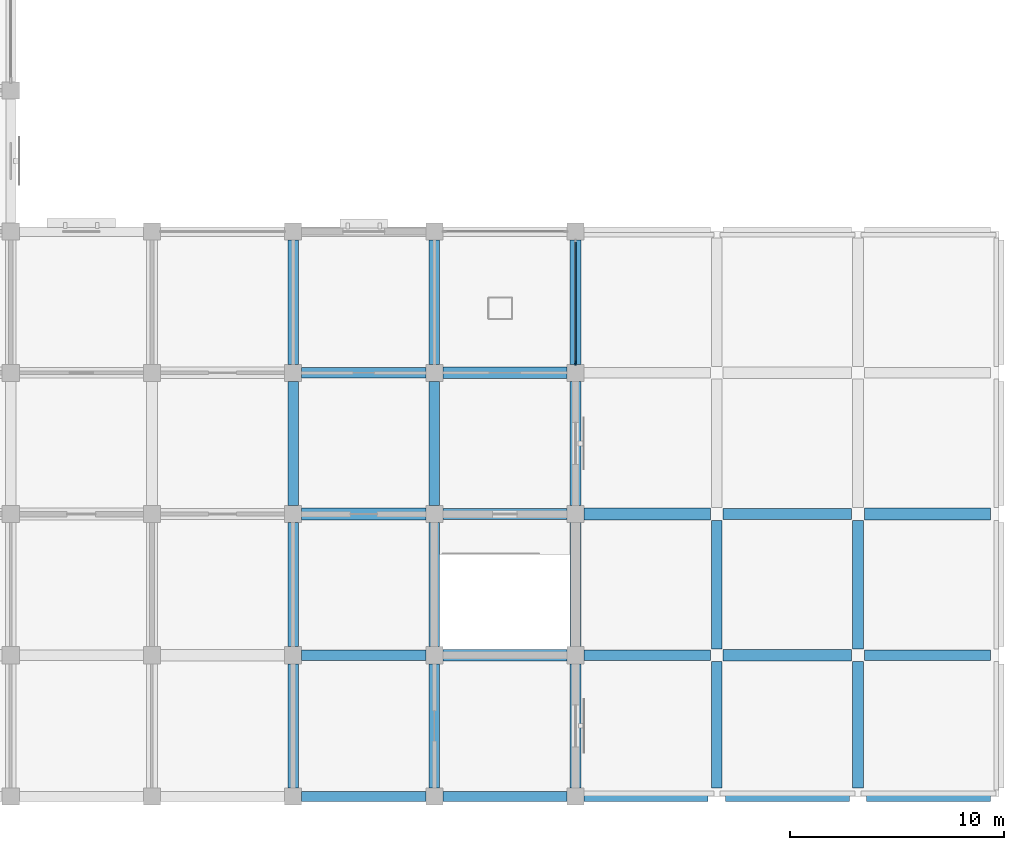
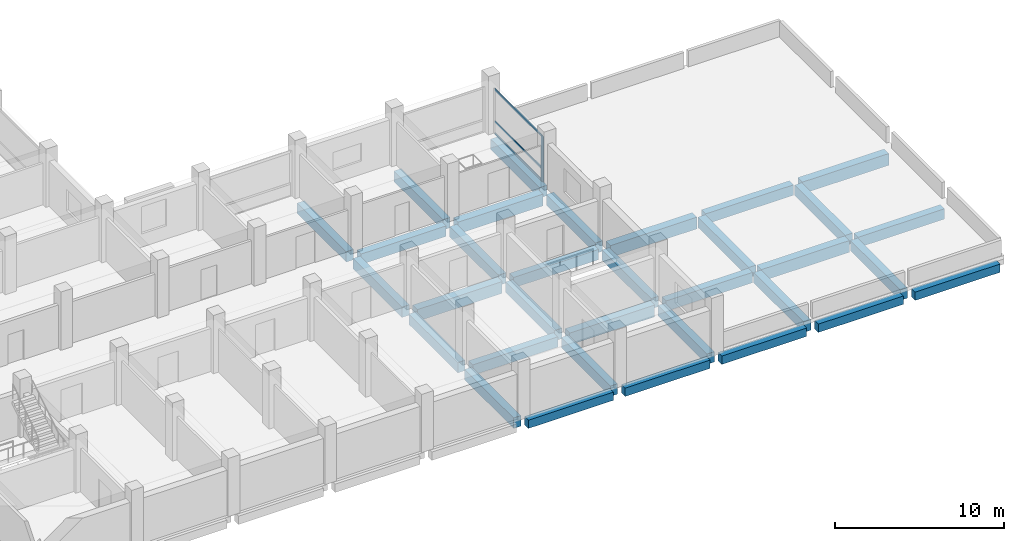
# One storey, part 7 of 30: 33 beams, 4 members, 1 element without a shape of its own.
"""IFC4 building model written with IfcOpenShell, lengths in metres."""

from ifc_helpers import new_model, si_unit, direction, frame, origin, origin_2d, place, context, subcontext, project, spatial, rectangle, extrude, material, material_profile, profile_set, type_object, element, aggregate, save


model = new_model("IFC4")

# Units and contexts
model_context = context("Model", 3, precision=1e-05, world=origin(), true_north=direction((0.0, 1.0)))
body_context = subcontext(model_context, "Body", "Model", "MODEL_VIEW")
ifc_project = project(units=[si_unit("LENGTHUNIT", "METRE"), si_unit("AREAUNIT", "SQUARE_METRE"), si_unit("VOLUMEUNIT", "CUBIC_METRE"), si_unit("PLANEANGLEUNIT", "RADIAN"), si_unit("MASSUNIT", "GRAM", prefix="KILO")], contexts=[model_context])

# Site, building, storey
site_placement = place(None, origin())
site = spatial("IfcSite", under=ifc_project, at=site_placement, CompositionType="ELEMENT")
building_placement = place(site_placement, origin())
building = spatial("IfcBuilding", under=site, at=building_placement, Name="Rusizi Kubbe Research Institute", CompositionType="ELEMENT")
storey_placement = place(building_placement, frame((0.0, 0.0, 10.199951171875)))
storey = spatial("IfcBuildingStorey", under=building, at=storey_placement, Name="L02", CompositionType="ELEMENT", Elevation=10.199951171875)

# Beams
ifc_material_1 = material(Name="Concrete C40/50", Category="concrete")
ifc_material_profile_1 = material_profile(ifc_material_1, rectangle(XDim=0.449951171875, YDim=0.60009765625, at=origin_2d()), Name="RC450x600")
ifc_profile_set_1 = profile_set([ifc_material_profile_1], Name="Concrete C40/50")
beam_type_1 = type_object("IfcBeamType", Name="BM-RC450x600", PredefinedType="SPANDREL", material=ifc_profile_set_1)
for number, where, z_axis, x_axis, name in (
    (1, (66.39990234375, 0.0, -0.64990234375), (1.0, 0.0, 0.0), (0.0, 1.0, 0.0), "Grid Beam H L02 (10,0)"),
    (2, (73.0, 0.0, -0.64990234375), (1.0, 0.0, 0.0), (0.0, 1.0, 0.0), "Grid Beam H L02 (11,0)"),
):
    element("IfcBeam", number, at=place(storey_placement, frame(where, z_axis=z_axis, x_axis=x_axis)), inside=storey, type_object=beam_type_1, Name=name, PredefinedType="SPANDREL", context=body_context, shape_type="SweptSolid", body=[
        extrude(rectangle(XDim=0.449951171875, YDim=0.60009765625, at=origin_2d()), origin(), (0.0, 0.0, 1.0), 5.800048828125),
    ])
beam_1_placement = place(storey_placement, frame((79.60009765625, 0.0, -0.64990234375), z_axis=(1.0, 0.0, 0.0), x_axis=(0.0, 1.0, 0.0)))
element("IfcBeam", 3, at=beam_1_placement, inside=storey, type_object=beam_type_1, Name="Grid Beam H L02 (12,0)", PredefinedType="SPANDREL", context=body_context, shape_type="SweptSolid", body=[
    extrude(rectangle(XDim=0.449951171875, YDim=0.60009765625, at=origin_2d()), origin(), (0.0, 0.0, 1.0), 5.7998046875),
])
for number, where, z_axis, x_axis, name in (
    (4, (86.199951171875, 0.0, -0.64990234375), (1.0, 0.0, 0.0), (0.0, 1.0, 0.0), "Grid Beam H L02 (13,0)"),
    (5, (92.800048828125, 0.0, -0.64990234375), (1.0, 0.0, 0.0), (0.0, 1.0, 0.0), "Grid Beam H L02 (14,0)"),
):
    element("IfcBeam", number, at=place(storey_placement, frame(where, z_axis=z_axis, x_axis=x_axis)), inside=storey, type_object=beam_type_1, Name=name, PredefinedType="SPANDREL", context=body_context, shape_type="SweptSolid", body=[
        extrude(rectangle(XDim=0.449951171875, YDim=0.60009765625, at=origin_2d()), origin(), (0.0, 0.0, 1.0), 5.800048828125),
    ])
ifc_material_2 = material(Name="Concrete C45/55", Category="concrete")
ifc_material_profile_2 = material_profile(ifc_material_2, rectangle(XDim=0.5, YDim=0.75, at=origin_2d()), Name="RC500x750B")
ifc_profile_set_2 = profile_set([ifc_material_profile_2], Name="Concrete C45/55")
beam_type_2 = type_object("IfcBeamType", Name="BM-RC500x750", PredefinedType="BEAM", material=ifc_profile_set_2)
for number, where, z_axis, x_axis, name in (
    (6, (66.39990234375, 6.60009765625, -0.724853515625), (1.0, 0.0, 0.0), (0.0, 1.0, 0.0), "Grid Beam H L02 (10,1)"),
    (7, (66.39990234375, 19.800048828125, -0.724853515625), (1.0, 0.0, 0.0), (0.0, 1.0, 0.0), "Grid Beam H L02 (10,3)"),
    (8, (73.0, 13.199951171875, -0.724853515625), (1.0, 0.0, 0.0), (0.0, 1.0, 0.0), "Grid Beam H L02 (11,2)"),
):
    element("IfcBeam", number, at=place(storey_placement, frame(where, z_axis=z_axis, x_axis=x_axis)), inside=storey, type_object=beam_type_2, Name=name, PredefinedType="BEAM", context=body_context, shape_type="SweptSolid", body=[
        extrude(rectangle(XDim=0.5, YDim=0.75, at=origin_2d()), origin(), (0.0, 0.0, 1.0), 5.800048828125),
    ])
beam_2_placement = place(storey_placement, frame((79.60009765625, 6.60009765625, -0.724853515625), z_axis=(1.0, 0.0, 0.0), x_axis=(0.0, 1.0, 0.0)))
element("IfcBeam", 9, at=beam_2_placement, inside=storey, type_object=beam_type_2, Name="Grid Beam H L02 (12,1)", PredefinedType="BEAM", context=body_context, shape_type="SweptSolid", body=[
    extrude(rectangle(XDim=0.5, YDim=0.75, at=origin_2d()), origin(), (0.0, 0.0, 1.0), 5.89990234375),
])
beam_3_placement = place(storey_placement, frame((86.10009765625, 13.199951171875, -0.724853515625), z_axis=(1.0, 0.0, 0.0), x_axis=(0.0, 1.0, 0.0)))
element("IfcBeam", 10, at=beam_3_placement, inside=storey, type_object=beam_type_2, Name="Grid Beam H L02 (13,2)", PredefinedType="BEAM", context=body_context, shape_type="SweptSolid", body=[
    extrude(rectangle(XDim=0.5, YDim=0.75, at=origin_2d()), origin(), (0.0, 0.0, 1.0), 6.0),
])
beam_4_placement = place(storey_placement, frame((92.699951171875, 6.60009765625, -0.724853515625), z_axis=(1.0, 0.0, 0.0), x_axis=(0.0, 1.0, 0.0)))
element("IfcBeam", 11, at=beam_4_placement, inside=storey, type_object=beam_type_2, Name="Grid Beam H L02 (14,1)", PredefinedType="BEAM", context=body_context, shape_type="SweptSolid", body=[
    extrude(rectangle(XDim=0.5, YDim=0.75, at=origin_2d()), origin(), (0.0, 0.0, 1.0), 5.900146484375),
])
for number, where, z_axis, x_axis, name in (
    (12, (66.0, 0.39990234375, -0.724853515625), (0.0, 1.0, 0.0), (-1.0, 0.0, 0.0), "Grid Beam V L02 (10,0)"),
    (13, (66.0, 7.0, -0.724853515625), (0.0, 1.0, 0.0), (-1.0, 0.0, 0.0), "Grid Beam V L02 (10,1)"),
):
    element("IfcBeam", number, at=place(storey_placement, frame(where, z_axis=z_axis, x_axis=x_axis)), inside=storey, type_object=beam_type_2, Name=name, PredefinedType="BEAM", context=body_context, shape_type="SweptSolid", body=[
        extrude(rectangle(XDim=0.5, YDim=0.75, at=origin_2d()), origin(), (0.0, 0.0, 1.0), 5.800048828125),
    ])
beam_5_placement = place(storey_placement, frame((66.0, 13.60009765625, -0.724853515625), z_axis=(0.0, 1.0, 0.0), x_axis=(-1.0, 0.0, 0.0)))
element("IfcBeam", 14, at=beam_5_placement, inside=storey, type_object=beam_type_2, Name="Grid Beam V L02 (10,2)", PredefinedType="BEAM", context=body_context, shape_type="SweptSolid", body=[
    extrude(rectangle(XDim=0.5, YDim=0.75, at=origin_2d()), origin(), (0.0, 0.0, 1.0), 5.7998046875),
])
for number, where, z_axis, x_axis, name in (
    (15, (66.0, 20.199951171875, -0.724853515625), (0.0, 1.0, 0.0), (-1.0, 0.0, 0.0), "Grid Beam V L02 (10,3)"),
    (16, (72.60009765625, 0.39990234375, -0.724853515625), (0.0, 1.0, 0.0), (-1.0, 0.0, 0.0), "Grid Beam V L02 (11,0)"),
    (17, (72.60009765625, 7.0, -0.724853515625), (0.0, 1.0, 0.0), (-1.0, 0.0, 0.0), "Grid Beam V L02 (11,1)"),
):
    element("IfcBeam", number, at=place(storey_placement, frame(where, z_axis=z_axis, x_axis=x_axis)), inside=storey, type_object=beam_type_2, Name=name, PredefinedType="BEAM", context=body_context, shape_type="SweptSolid", body=[
        extrude(rectangle(XDim=0.5, YDim=0.75, at=origin_2d()), origin(), (0.0, 0.0, 1.0), 5.800048828125),
    ])
beam_6_placement = place(storey_placement, frame((72.60009765625, 13.60009765625, -0.724853515625), z_axis=(0.0, 1.0, 0.0), x_axis=(-1.0, 0.0, 0.0)))
element("IfcBeam", 18, at=beam_6_placement, inside=storey, type_object=beam_type_2, Name="Grid Beam V L02 (11,2)", PredefinedType="BEAM", context=body_context, shape_type="SweptSolid", body=[
    extrude(rectangle(XDim=0.5, YDim=0.75, at=origin_2d()), origin(), (0.0, 0.0, 1.0), 5.7998046875),
])
for number, where, z_axis, x_axis, name in (
    (19, (72.60009765625, 20.199951171875, -0.724853515625), (0.0, 1.0, 0.0), (-1.0, 0.0, 0.0), "Grid Beam V L02 (11,3)"),
    (20, (79.199951171875, 0.39990234375, -0.724853515625), (0.0, 1.0, 0.0), (-1.0, 0.0, 0.0), "Grid Beam V L02 (12,0)"),
    (21, (79.199951171875, 7.0, -0.724853515625), (0.0, 1.0, 0.0), (-1.0, 0.0, 0.0), "Grid Beam V L02 (12,1)"),
):
    element("IfcBeam", number, at=place(storey_placement, frame(where, z_axis=z_axis, x_axis=x_axis)), inside=storey, type_object=beam_type_2, Name=name, PredefinedType="BEAM", context=body_context, shape_type="SweptSolid", body=[
        extrude(rectangle(XDim=0.5, YDim=0.75, at=origin_2d()), origin(), (0.0, 0.0, 1.0), 5.800048828125),
    ])
beam_7_placement = place(storey_placement, frame((79.199951171875, 13.60009765625, -0.724853515625), z_axis=(0.0, 1.0, 0.0), x_axis=(-1.0, 0.0, 0.0)))
element("IfcBeam", 22, at=beam_7_placement, inside=storey, type_object=beam_type_2, Name="Grid Beam V L02 (12,2)", PredefinedType="BEAM", context=body_context, shape_type="SweptSolid", body=[
    extrude(rectangle(XDim=0.5, YDim=0.75, at=origin_2d()), origin(), (0.0, 0.0, 1.0), 5.7998046875),
])
beam_8_placement = place(storey_placement, frame((79.199951171875, 20.199951171875, -0.724853515625), z_axis=(0.0, 1.0, 0.0), x_axis=(-1.0, 0.0, 0.0)))
element("IfcBeam", 23, at=beam_8_placement, inside=storey, type_object=beam_type_2, Name="Grid Beam V L02 (12,3)", PredefinedType="BEAM", context=body_context, shape_type="SweptSolid", body=[
    extrude(rectangle(XDim=0.5, YDim=0.75, at=origin_2d()), origin(), (0.0, 0.0, 1.0), 5.800048828125),
])
beam_9_placement = place(storey_placement, frame((85.800048828125, 0.39990234375, -0.724853515625), z_axis=(0.0, 1.0, 0.0), x_axis=(-1.0, 0.0, 0.0)))
element("IfcBeam", 24, at=beam_9_placement, inside=storey, type_object=beam_type_2, Name="Grid Beam V L02 (13,0)", PredefinedType="BEAM", context=body_context, shape_type="SweptSolid", body=[
    extrude(rectangle(XDim=0.5, YDim=0.75, at=origin_2d()), origin(), (0.0, 0.0, 1.0), 5.900146484375),
])
beam_10_placement = place(storey_placement, frame((85.800048828125, 6.89990234375, -0.724853515625), z_axis=(0.0, 1.0, 0.0), x_axis=(-1.0, 0.0, 0.0)))
element("IfcBeam", 25, at=beam_10_placement, inside=storey, type_object=beam_type_2, Name="Grid Beam V L02 (13,1)", PredefinedType="BEAM", context=body_context, shape_type="SweptSolid", body=[
    extrude(rectangle(XDim=0.5, YDim=0.75, at=origin_2d()), origin(), (0.0, 0.0, 1.0), 6.0),
])
beam_11_placement = place(storey_placement, frame((92.39990234375, 0.39990234375, -0.724853515625), z_axis=(0.0, 1.0, 0.0), x_axis=(-1.0, 0.0, 0.0)))
element("IfcBeam", 26, at=beam_11_placement, inside=storey, type_object=beam_type_2, Name="Grid Beam V L02 (14,0)", PredefinedType="BEAM", context=body_context, shape_type="SweptSolid", body=[
    extrude(rectangle(XDim=0.5, YDim=0.75, at=origin_2d()), origin(), (0.0, 0.0, 1.0), 5.900146484375),
])
beam_12_placement = place(storey_placement, frame((92.39990234375, 6.89990234375, -0.724853515625), z_axis=(0.0, 1.0, 0.0), x_axis=(-1.0, 0.0, 0.0)))
element("IfcBeam", 27, at=beam_12_placement, inside=storey, type_object=beam_type_2, Name="Grid Beam V L02 (14,1)", PredefinedType="BEAM", context=body_context, shape_type="SweptSolid", body=[
    extrude(rectangle(XDim=0.5, YDim=0.75, at=origin_2d()), origin(), (0.0, 0.0, 1.0), 6.0),
])
ifc_material_3 = material(Name="Concrete C45/55", Category="concrete")
ifc_material_profile_3 = material_profile(ifc_material_3, rectangle(XDim=0.550048828125, YDim=0.85009765625, at=origin_2d()), Name="RC550x850")
ifc_profile_set_3 = profile_set([ifc_material_profile_3], Name="Concrete C45/55")
beam_type_3 = type_object("IfcBeamType", Name="BM-RC550x850", PredefinedType="BEAM", material=ifc_profile_set_3)
for number, where, z_axis, x_axis, name in (
    (28, (66.39990234375, 13.199951171875, -0.77490234375), (1.0, 0.0, 0.0), (0.0, 1.0, 0.0), "Grid Beam H L02 (10,2)"),
    (29, (73.0, 6.60009765625, -0.77490234375), (1.0, 0.0, 0.0), (0.0, 1.0, 0.0), "Grid Beam H L02 (11,1)"),
    (30, (73.0, 19.800048828125, -0.77490234375), (1.0, 0.0, 0.0), (0.0, 1.0, 0.0), "Grid Beam H L02 (11,3)"),
):
    element("IfcBeam", number, at=place(storey_placement, frame(where, z_axis=z_axis, x_axis=x_axis)), inside=storey, type_object=beam_type_3, Name=name, PredefinedType="BEAM", context=body_context, shape_type="SweptSolid", body=[
        extrude(rectangle(XDim=0.550048828125, YDim=0.85009765625, at=origin_2d()), origin(), (0.0, 0.0, 1.0), 5.800048828125),
    ])
beam_13_placement = place(storey_placement, frame((79.60009765625, 13.199951171875, -0.77490234375), z_axis=(1.0, 0.0, 0.0), x_axis=(0.0, 1.0, 0.0)))
element("IfcBeam", 31, at=beam_13_placement, inside=storey, type_object=beam_type_3, Name="Grid Beam H L02 (12,2)", PredefinedType="BEAM", context=body_context, shape_type="SweptSolid", body=[
    extrude(rectangle(XDim=0.550048828125, YDim=0.85009765625, at=origin_2d()), origin(), (0.0, 0.0, 1.0), 5.89990234375),
])
beam_14_placement = place(storey_placement, frame((86.10009765625, 6.60009765625, -0.77490234375), z_axis=(1.0, 0.0, 0.0), x_axis=(0.0, 1.0, 0.0)))
element("IfcBeam", 32, at=beam_14_placement, inside=storey, type_object=beam_type_3, Name="Grid Beam H L02 (13,1)", PredefinedType="BEAM", context=body_context, shape_type="SweptSolid", body=[
    extrude(rectangle(XDim=0.550048828125, YDim=0.85009765625, at=origin_2d()), origin(), (0.0, 0.0, 1.0), 6.0),
])
beam_15_placement = place(storey_placement, frame((92.699951171875, 13.199951171875, -0.77490234375), z_axis=(1.0, 0.0, 0.0), x_axis=(0.0, 1.0, 0.0)))
element("IfcBeam", 33, at=beam_15_placement, inside=storey, type_object=beam_type_3, Name="Grid Beam H L02 (14,2)", PredefinedType="BEAM", context=body_context, shape_type="SweptSolid", body=[
    extrude(rectangle(XDim=0.550048828125, YDim=0.85009765625, at=origin_2d()), origin(), (0.0, 0.0, 1.0), 5.900146484375),
])

# Curtain wall, members
ifc_material_4 = material(Name="Thermally Broken Aluminium and Low-E Glazing", Category="aluminium")
curtain_wall_type = type_object("IfcCurtainWallType", Name="CW-05", PredefinedType="NOTDEFINED", material=ifc_material_4)
curtain_wall_placement = place(storey_placement, origin())
curtain_wall = element("IfcCurtainWall", 34, at=curtain_wall_placement, inside=storey, type_object=curtain_wall_type, Name="Unitised Facade Curtain Wall CW-L02-V-12-03", PredefinedType="NOTDEFINED")
ifc_material_5 = material(Name="Aluminium Alloy 6063-T6", Category="aluminium")
ifc_material_profile_4 = material_profile(ifc_material_5, rectangle(XDim=0.070068359375, YDim=0.219970703125, at=origin_2d()), Name="ALU-M 70x220")
ifc_profile_set_4 = profile_set([ifc_material_profile_4], Name="Aluminium Alloy 6063-T6")
member_type_1 = type_object("IfcMemberType", Name="ML-04", PredefinedType="MULLION", material=ifc_profile_set_4)
member_1_placement = place(storey_placement, frame((79.199951171875, 20.264892578125, 0.0), z_axis=(0.0, 0.0, 1.0), x_axis=(-1.0, 0.0, 0.0)))
member_1 = element("IfcMember", 35, at=member_1_placement, type_object=member_type_1, Name="CW-05 mullion 1", PredefinedType="MULLION", context=body_context, shape_type="SweptSolid", body=[
    extrude(rectangle(XDim=0.070068359375, YDim=0.219970703125, at=origin_2d()), origin(), (0.0, 0.0, 1.0), 3.25),
])
ifc_material_6 = material(Name="Aluminium Alloy 6063-T6", Category="aluminium")
ifc_material_profile_5 = material_profile(ifc_material_6, rectangle(XDim=0.06005859375, YDim=0.139892578125, at=origin_2d()), Name="ALU-T 60x140")
ifc_profile_set_5 = profile_set([ifc_material_profile_5], Name="Aluminium Alloy 6063-T6")
member_type_2 = type_object("IfcMemberType", Name="TR-02", PredefinedType="USERDEFINED", material=ifc_profile_set_5)
member_2_placement = place(storey_placement, frame((79.199951171875, 20.300048828125, 0.030029296875), z_axis=(0.0, 1.0, 0.0), x_axis=(-1.0, 0.0, 0.0)))
member_2 = element("IfcMember", 36, at=member_2_placement, type_object=member_type_2, Name="CW-05 transom 1.1", ObjectType="TRANSOM", PredefinedType="USERDEFINED", context=body_context, shape_type="SweptSolid", body=[
    extrude(rectangle(XDim=0.06005859375, YDim=0.139892578125, at=origin_2d()), origin(), (0.0, 0.0, 1.0), 5.599853515625),
])
member_3_placement = place(storey_placement, frame((79.199951171875, 20.300048828125, 0.900146484375), z_axis=(0.0, 1.0, 0.0), x_axis=(-1.0, 0.0, 0.0)))
member_3 = element("IfcMember", 37, at=member_3_placement, type_object=member_type_2, Name="CW-05 transom 1.2", ObjectType="TRANSOM", PredefinedType="USERDEFINED", context=body_context, shape_type="SweptSolid", body=[
    extrude(rectangle(XDim=0.06005859375, YDim=0.139892578125, at=origin_2d()), origin(), (0.0, 0.0, 1.0), 5.599853515625),
])
member_4_placement = place(storey_placement, frame((79.199951171875, 20.300048828125, 3.219970703125), z_axis=(0.0, 1.0, 0.0), x_axis=(-1.0, 0.0, 0.0)))
member_4 = element("IfcMember", 38, at=member_4_placement, type_object=member_type_2, Name="CW-05 transom 1.3", ObjectType="TRANSOM", PredefinedType="USERDEFINED", context=body_context, shape_type="SweptSolid", body=[
    extrude(rectangle(XDim=0.06005859375, YDim=0.139892578125, at=origin_2d()), origin(), (0.0, 0.0, 1.0), 5.599853515625),
])
aggregate(curtain_wall, [member_1, member_2, member_3, member_4])

save(model, "model.ifc")
